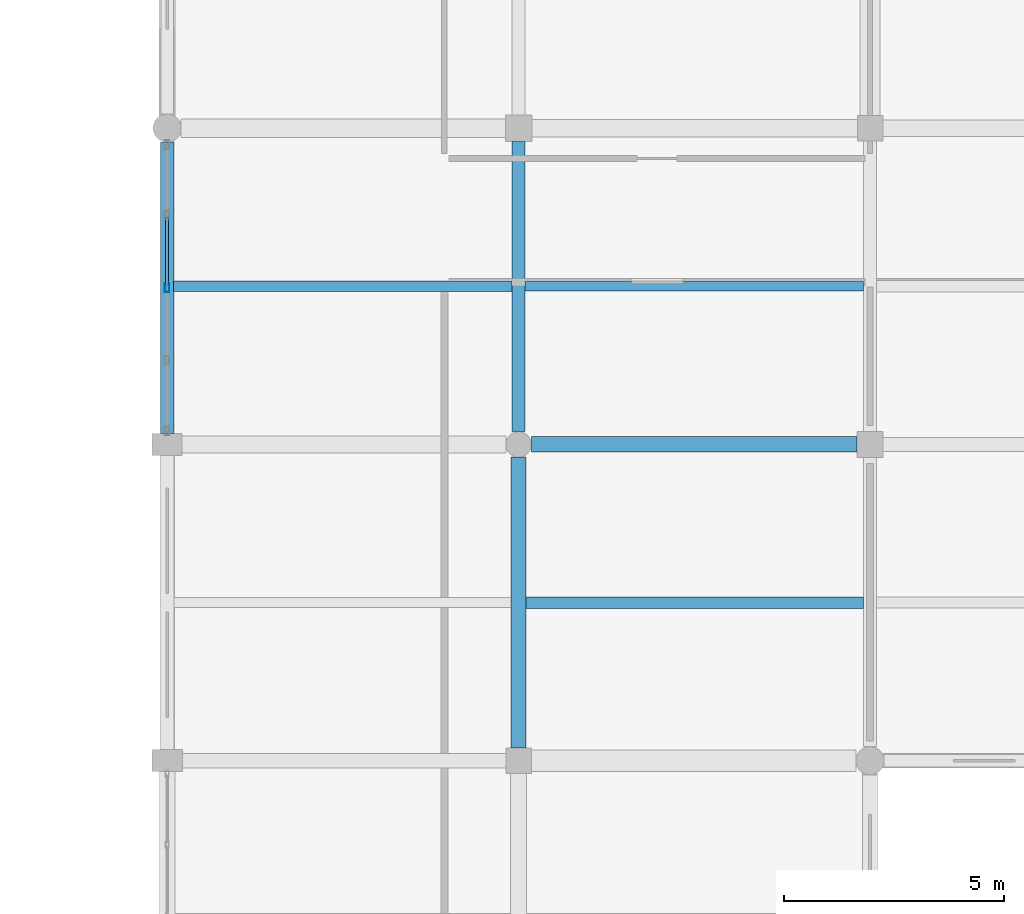
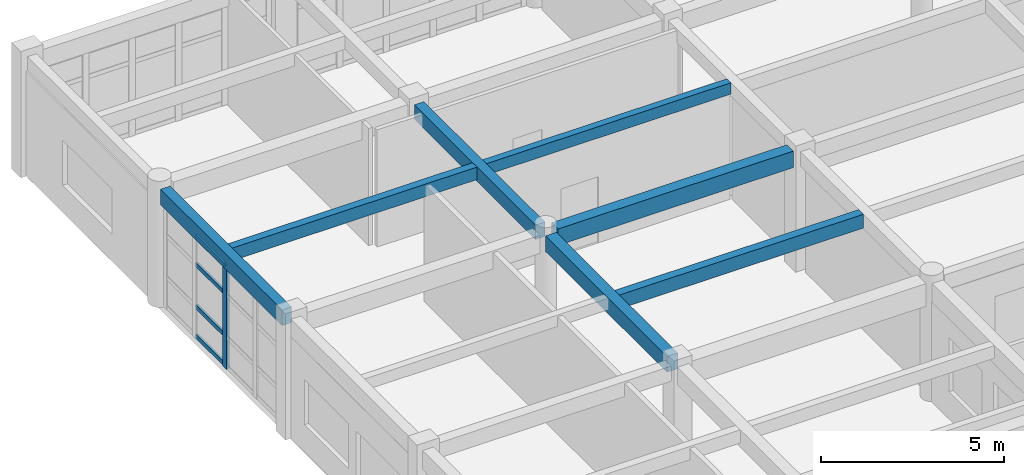
# One storey, part 56 of 121: 7 beams, 5 members, 1 element without a shape of its own.
"""IFC4 building model written with IfcOpenShell, lengths in metres."""

import ifcopenshell
import ifcopenshell.guid

model = None  # the IFC model being written
_history = None  # IfcOwnerHistory: only IFC2X3 demands one
_inside = {}  # id of a spatial element -> (the spatial element, [elements in it])
_under = {}  # id of a project, library or spatial element -> (it, [spatial elements below it])
_declared = {}  # id of a project -> (the project, [libraries it declares])
_typed = {}  # id of a type object -> (the type object, [elements of that type])
_made_of = {}  # id of a material, layer set ... -> (it, [elements and type objects made of it])


def new_model(schema):
    """Start an empty IFC model of exactly this schema.

    Asked for "IFC4X3", IfcOpenShell would pick the latest addendum, in which some entities
    have other attributes; the version numbers below select the first issue.
    IFC2X3 requires an IfcOwnerHistory on every rooted entity: one is made here for all.
    """
    global model, _history
    if schema == "IFC4X3":
        model = ifcopenshell.file(schema_version=(4, 3, 0, 0))
    else:
        model = ifcopenshell.file(schema=schema)
    _inside.clear()
    _under.clear()
    _declared.clear()
    _typed.clear()
    _made_of.clear()
    _history = None
    if model.schema == "IFC2X3":
        org = make("IfcOrganization", Name="unknown")
        user = make(
            "IfcPersonAndOrganization",
            ThePerson=make("IfcPerson", FamilyName="unknown"),
            TheOrganization=org,
        )
        app = make(
            "IfcApplication",
            ApplicationDeveloper=org,
            Version="unknown",
            ApplicationFullName="unknown",
            ApplicationIdentifier="unknown",
        )
        _history = make(
            "IfcOwnerHistory",
            OwningUser=user,
            OwningApplication=app,
            ChangeAction="ADDED",
            CreationDate=0,
        )
    return model


def make(cls, **values):
    """One entity of the class cls with the attributes given. An attribute that is None is left unset."""
    return model.create_entity(
        cls, **{name: value for name, value in values.items() if value is not None}
    )


def rooted(cls, **values):
    """An entity with a GlobalId (a new one), such as an element, a storey or a relation."""
    return make(cls, GlobalId=ifcopenshell.guid.new(), OwnerHistory=_history, **values)


def si_unit(unit_type, name, prefix=None):
    """IfcSIUnit, for example si_unit("LENGTHUNIT", "METRE", prefix="MILLI")."""
    return make("IfcSIUnit", UnitType=unit_type, Prefix=prefix, Name=name)


def assignment(units):
    """IfcUnitAssignment: the units of a project."""
    return None if units is None else make("IfcUnitAssignment", Units=units)


def point(xyz):
    """IfcCartesianPoint."""
    return None if xyz is None else make("IfcCartesianPoint", Coordinates=xyz)


def direction(xyz):
    """IfcDirection."""
    return None if xyz is None else make("IfcDirection", DirectionRatios=xyz)


def frame(location, z_axis=None, x_axis=None):
    """IfcAxis2Placement3D, a coordinate frame: its origin and axes. An axis left out is left unset."""
    return make(
        "IfcAxis2Placement3D",
        Location=point(location),
        Axis=direction(z_axis),
        RefDirection=direction(x_axis),
    )


def frame_2d(location, x_axis=None):
    """IfcAxis2Placement2D, a coordinate frame in the plane: its origin and x axis."""
    return make(
        "IfcAxis2Placement2D", Location=point(location), RefDirection=direction(x_axis)
    )


def origin():
    """The frame at (0, 0, 0) with its axes left unset."""
    return frame((0.0, 0.0, 0.0))


def origin_2d():
    """The frame at (0, 0) in the plane with its x axis left unset."""
    return frame_2d((0.0, 0.0))


def place(relative_to, where):
    """IfcLocalPlacement: puts the frame where relative to a parent placement (None: the world)."""
    return make(
        "IfcLocalPlacement", PlacementRelTo=relative_to, RelativePlacement=where
    )


def context(
    kind, dimensions, precision=None, world=None, true_north=None, identifier=None
):
    """IfcGeometricRepresentationContext, for example the 3D "Model" context."""
    return make(
        "IfcGeometricRepresentationContext",
        ContextIdentifier=identifier,
        ContextType=kind,
        CoordinateSpaceDimension=dimensions,
        Precision=precision,
        WorldCoordinateSystem=world,
        TrueNorth=true_north,
    )


def subcontext(parent, identifier, kind, view, scale=None):
    """IfcGeometricRepresentationSubContext, for example "Body" below "Model"."""
    return make(
        "IfcGeometricRepresentationSubContext",
        ContextIdentifier=identifier,
        ContextType=kind,
        ParentContext=parent,
        TargetScale=scale,
        TargetView=view,
    )


def project(units=None, contexts=None):
    """IfcProject with its units and contexts."""
    return rooted(
        "IfcProject",
        Name="project",
        RepresentationContexts=contexts,
        UnitsInContext=assignment(units),
    )


def spatial(cls, under=None, at=None, **own):
    """A site, building, storey or space (cls), placed at a placement, below another one or the project."""
    s = rooted(cls, ObjectPlacement=at, **own)
    if under is not None:
        _under.setdefault(under.id(), (under, []))[1].append(s)
    return s


def profile(cls, at=None, kind="AREA", **sizes):
    """A parametric profile (cls). Its sizes go by their IFC names, for example OverallWidth=200.0."""
    return make(cls, ProfileType=kind, Position=at, **sizes)


def rectangle(**sizes):
    """IfcRectangleProfileDef."""
    return profile("IfcRectangleProfileDef", **sizes)


def hollow_rectangle(**sizes):
    """IfcRectangleHollowProfileDef."""
    return profile("IfcRectangleHollowProfileDef", **sizes)


def extrude(swept, where, along, depth):
    """IfcExtrudedAreaSolid: the profile swept, set in the frame where, extruded along a direction by depth."""
    return make(
        "IfcExtrudedAreaSolid",
        SweptArea=swept,
        Position=where,
        ExtrudedDirection=direction(along),
        Depth=depth,
    )


def shape(context_of_items, identifier, shape_type, items):
    """IfcShapeRepresentation: the items that make up one representation, for example the "Body"."""
    return make(
        "IfcShapeRepresentation",
        ContextOfItems=context_of_items,
        RepresentationIdentifier=identifier,
        RepresentationType=shape_type,
        Items=items,
    )


def material(Name=None, Category=None):
    """IfcMaterial."""
    return make("IfcMaterial", Name=Name, Category=Category)


def material_profile(
    of_material, cross_section, Name=None, Category=None, Priority=None
):
    """IfcMaterialProfile: a cross section and its material."""
    return make(
        "IfcMaterialProfile",
        Name=Name,
        Material=of_material,
        Profile=cross_section,
        Priority=Priority,
        Category=Category,
    )


def profile_set(profiles, Name=None, composite=None):
    """IfcMaterialProfileSet."""
    return make(
        "IfcMaterialProfileSet",
        Name=Name,
        MaterialProfiles=profiles,
        CompositeProfile=composite,
    )


def made_of(thing, what):
    """Note that an element or type object is made of a material, layer set ...; save() writes the relation."""
    if what is not None:
        _made_of.setdefault(what.id(), (what, []))[1].append(thing)
    return thing


def type_object(cls, material=None, **own):
    """A type object (cls), such as IfcWallType, which elements share."""
    return made_of(rooted(cls, **own), material)


def element(
    cls,
    number,
    at=None,
    inside=None,
    cuts=None,
    type_object=None,
    material=None,
    context=None,
    identifier="Body",
    shape_type=None,
    held_by="IfcProductDefinitionShape",
    body=None,
    shapes=None,
    **own,
):
    """One element of the class cls, such as IfcWall. Its Tag is "e" and its number.

    at: its placement. inside: the storey or other place that contains it. cuts: it is an
    opening in that element (IfcRelVoidsElement). A single representation is given by context,
    identifier, shape_type and body (its items); several are given by shapes. held_by: the class
    of the entity that holds the representations. save() writes the other relations.
    """
    e = rooted(cls, Tag="e%d" % number, ObjectPlacement=at, **own)
    if body is not None:
        shapes = [shape(context, identifier, shape_type, body)]
    if shapes is not None:
        e.Representation = make(held_by, Representations=shapes)
    if inside is not None:
        _inside.setdefault(inside.id(), (inside, []))[1].append(e)
    if cuts is not None:
        rooted(
            "IfcRelVoidsElement", RelatingBuildingElement=cuts, RelatedOpeningElement=e
        )
    if type_object is not None:
        _typed.setdefault(type_object.id(), (type_object, []))[1].append(e)
    return made_of(e, material)


def aggregate(whole, parts):
    """IfcRelAggregates: a whole, such as a stair, and the parts it consists of."""
    return rooted("IfcRelAggregates", RelatingObject=whole, RelatedObjects=parts)


def save(model, path):
    """Write the relations noted so far, then the file.

    IfcRelAggregates (storeys below a building ...), IfcRelContainedInSpatialStructure (elements
    in a storey), IfcRelDefinesByType, IfcRelAssociatesMaterial and IfcRelDeclares: one each for
    every whole, place, type object, material and project.
    """
    for whole, parts in _under.values():
        aggregate(whole, parts)
    for where, things in _inside.values():
        rooted(
            "IfcRelContainedInSpatialStructure",
            RelatedElements=things,
            RelatingStructure=where,
        )
    for kind, things in _typed.values():
        rooted("IfcRelDefinesByType", RelatedObjects=things, RelatingType=kind)
    for what, things in _made_of.values():
        rooted("IfcRelAssociatesMaterial", RelatedObjects=things, RelatingMaterial=what)
    for by, libraries in _declared.values():
        rooted("IfcRelDeclares", RelatingContext=by, RelatedDefinitions=libraries)
    model.write(path)


model = new_model("IFC4")

# Units and contexts
model_context = context("Model", 3, precision=1e-05, world=origin(), true_north=direction((0.0, 1.0)))
body_context = subcontext(model_context, "Body", "Model", "MODEL_VIEW")
ifc_project = project(units=[si_unit("LENGTHUNIT", "METRE"), si_unit("AREAUNIT", "SQUARE_METRE"), si_unit("VOLUMEUNIT", "CUBIC_METRE"), si_unit("PLANEANGLEUNIT", "RADIAN"), si_unit("MASSUNIT", "GRAM", prefix="KILO")], contexts=[model_context])

# Site, building, storey
site_placement = place(None, origin())
site = spatial("IfcSite", under=ifc_project, at=site_placement, CompositionType="ELEMENT")
building_placement = place(site_placement, origin())
building = spatial("IfcBuilding", under=site, at=building_placement, Name="Kharva Crest Polytechnic", CompositionType="ELEMENT")
storey_placement = place(building_placement, frame((0.0, 0.0, 13.199951171875)))
storey = spatial("IfcBuildingStorey", under=building, at=storey_placement, Name="L03", CompositionType="ELEMENT", Elevation=13.199951171875)

# Beams
ifc_material_1 = material(Name="Concrete C35/45", Category="concrete")
ifc_material_profile_1 = material_profile(ifc_material_1, rectangle(XDim=0.300048828125, YDim=0.47998046875, at=origin_2d()), Name="RECT 300 X 480")
ifc_profile_set_1 = profile_set([ifc_material_profile_1], Name="Concrete C35/45")
beam_type_1 = type_object("IfcBeamType", Name="BM-RC-300X480", PredefinedType="BEAM", material=ifc_profile_set_1)
beam_1_placement = place(storey_placement, frame((40.0, 107.889892578125, 3.719970703125), z_axis=(0.0, 1.0, 0.0), x_axis=(-1.0, 0.0, 0.0)))
element("IfcBeam", 1, at=beam_1_placement, inside=storey, type_object=beam_type_1, Name="L03 Girder 6/Q-R", PredefinedType="BEAM", context=body_context, shape_type="SweptSolid", body=[
    extrude(rectangle(XDim=0.300048828125, YDim=0.47998046875, at=origin_2d()), origin(), (0.0, 0.0, 1.0), 6.610107421875),
])
ifc_material_profile_2 = material_profile(ifc_material_1, rectangle(XDim=0.340087890625, YDim=0.52001953125, at=origin_2d()), Name="RECT 340 X 520")
ifc_profile_set_2 = profile_set([ifc_material_profile_2], Name="Concrete C35/45")
beam_type_2 = type_object("IfcBeamType", Name="BM-RC-340X520", PredefinedType="BEAM", material=ifc_profile_set_2)
beam_2_placement = place(storey_placement, frame((40.0, 100.68994140625, 3.699951171875), z_axis=(0.0, 1.0, 0.0), x_axis=(-1.0, 0.0, 0.0)))
element("IfcBeam", 2, at=beam_2_placement, inside=storey, type_object=beam_type_2, Name="L03 Girder 6/P-Q", PredefinedType="BEAM", context=body_context, shape_type="SweptSolid", body=[
    extrude(rectangle(XDim=0.340087890625, YDim=0.52001953125, at=origin_2d()), origin(), (0.0, 0.0, 1.0), 6.6201171875),
])
ifc_material_profile_3 = material_profile(ifc_material_1, rectangle(XDim=0.35009765625, YDim=0.550048828125, at=origin_2d()), Name="RECT 350 X 550")
ifc_profile_set_3 = profile_set([ifc_material_profile_3], Name="Concrete C35/45")
beam_type_3 = type_object("IfcBeamType", Name="BM-RC-350X550", PredefinedType="BEAM", material=ifc_profile_set_3)
beam_3_placement = place(storey_placement, frame((40.2900390625, 107.60009765625, 3.68505859375), z_axis=(1.0, 0.0, 0.0), x_axis=(0.0, 1.0, 0.0)))
element("IfcBeam", 3, at=beam_3_placement, inside=storey, type_object=beam_type_3, Name="L03 Beam Q/6-7", PredefinedType="BEAM", context=body_context, shape_type="SweptSolid", body=[
    extrude(rectangle(XDim=0.35009765625, YDim=0.550048828125, at=origin_2d()), origin(), (0.0, 0.0, 1.0), 7.409912109375),
])

# Curtain wall, members
ifc_material_2 = material(Name="Tempered insulated glass", Category="glass")
curtain_wall_type = type_object("IfcCurtainWallType", Name="CW-SYS-LIBRARY", PredefinedType="USERDEFINED", material=ifc_material_2)
curtain_wall_placement = place(storey_placement, origin())
curtain_wall = element("IfcCurtainWall", 4, at=curtain_wall_placement, inside=storey, type_object=curtain_wall_type, Name="L03 Glazed Curtain Wall CW-164", ObjectType="CURTAIN WALL", PredefinedType="USERDEFINED")
ifc_material_3 = material(Name="Steel S355", Category="steel")
ifc_material_profile_4 = material_profile(ifc_material_3, hollow_rectangle(XDim=0.10009765625, YDim=0.199951171875, WallThickness=0.00634765625, at=origin_2d()), Name="RHS 200X100X6.3")
ifc_profile_set_4 = profile_set([ifc_material_profile_4], Name="Steel S355")
member_type_1 = type_object("IfcMemberType", Name="CWM-RHS200X100", PredefinedType="MULLION", material=ifc_profile_set_4)
member_1_placement = place(storey_placement, frame((32.0, 111.1650390625, 0.0), z_axis=(0.0, 0.0, 1.0), x_axis=(1.0, 0.0, 0.0)))
member_1 = element("IfcMember", 5, at=member_1_placement, type_object=member_type_1, Name="CW-164 mullion 3", PredefinedType="MULLION", context=body_context, shape_type="SweptSolid", body=[
    extrude(hollow_rectangle(XDim=0.10009765625, YDim=0.199951171875, WallThickness=0.00634765625, at=origin_2d()), origin(), (0.0, 0.0, 1.0), 3.43994140625),
])
ifc_material_profile_5 = material_profile(ifc_material_3, hollow_rectangle(XDim=0.070068359375, YDim=0.139892578125, WallThickness=0.00390625, at=origin_2d()), Name="RHS 140X70X4.0")
ifc_profile_set_5 = profile_set([ifc_material_profile_5], Name="Steel S355")
member_type_2 = type_object("IfcMemberType", Name="CWT-RHS140X70", PredefinedType="USERDEFINED", material=ifc_profile_set_5)
member_2_placement = place(storey_placement, frame((32.0, 112.77001953125, 0.070068359375), z_axis=(0.0, -1.0, 0.0), x_axis=(1.0, 0.0, 0.0)))
member_2 = element("IfcMember", 6, at=member_2_placement, type_object=member_type_2, Name="CW-164 transom 2.1", ObjectType="TRANSOM", PredefinedType="USERDEFINED", context=body_context, shape_type="SweptSolid", body=[
    extrude(hollow_rectangle(XDim=0.070068359375, YDim=0.139892578125, WallThickness=0.00390625, at=origin_2d()), origin(), (0.0, 0.0, 1.0), 1.554931640625),
])
member_3_placement = place(storey_placement, frame((32.0, 112.77001953125, 1.050048828125), z_axis=(0.0, -1.0, 0.0), x_axis=(1.0, 0.0, 0.0)))
member_3 = element("IfcMember", 7, at=member_3_placement, type_object=member_type_2, Name="CW-164 transom 2.2", ObjectType="TRANSOM", PredefinedType="USERDEFINED", context=body_context, shape_type="SweptSolid", body=[
    extrude(hollow_rectangle(XDim=0.070068359375, YDim=0.139892578125, WallThickness=0.00390625, at=origin_2d()), origin(), (0.0, 0.0, 1.0), 1.554931640625),
])
member_4_placement = place(storey_placement, frame((32.0, 112.77001953125, 2.449951171875), z_axis=(0.0, -1.0, 0.0), x_axis=(1.0, 0.0, 0.0)))
member_4 = element("IfcMember", 8, at=member_4_placement, type_object=member_type_2, Name="CW-164 transom 2.3", ObjectType="TRANSOM", PredefinedType="USERDEFINED", context=body_context, shape_type="SweptSolid", body=[
    extrude(hollow_rectangle(XDim=0.070068359375, YDim=0.139892578125, WallThickness=0.00390625, at=origin_2d()), origin(), (0.0, 0.0, 1.0), 1.554931640625),
])
member_5_placement = place(storey_placement, frame((32.0, 112.77001953125, 3.3701171875), z_axis=(0.0, -1.0, 0.0), x_axis=(1.0, 0.0, 0.0)))
member_5 = element("IfcMember", 9, at=member_5_placement, type_object=member_type_2, Name="CW-164 transom 2.4", ObjectType="TRANSOM", PredefinedType="USERDEFINED", context=body_context, shape_type="SweptSolid", body=[
    extrude(hollow_rectangle(XDim=0.070068359375, YDim=0.139892578125, WallThickness=0.00390625, at=origin_2d()), origin(), (0.0, 0.0, 1.0), 1.554931640625),
])
aggregate(curtain_wall, [member_1, member_2, member_3, member_4, member_5])

# Beams
ifc_material_profile_6 = material_profile(ifc_material_1, rectangle(XDim=0.219970703125, YDim=0.3798828125, at=origin_2d()), Name="RECT 220 X 380")
ifc_profile_set_6 = profile_set([ifc_material_profile_6], Name="Concrete C35/45")
beam_type_4 = type_object("IfcBeamType", Name="JS-RC-220X380", PredefinedType="JOIST", material=ifc_profile_set_6)
beam_4_placement = place(storey_placement, frame((40.14990234375, 111.199951171875, 3.77001953125), z_axis=(1.0, 0.0, 0.0), x_axis=(0.0, 1.0, 0.0)))
element("IfcBeam", 10, at=beam_4_placement, inside=storey, type_object=beam_type_4, Name="L03 Floor Joist 35", PredefinedType="JOIST", context=body_context, shape_type="SweptSolid", body=[
    extrude(rectangle(XDim=0.219970703125, YDim=0.3798828125, at=origin_2d()), origin(), (0.0, 0.0, 1.0), 7.7001953125),
])
ifc_material_profile_7 = material_profile(ifc_material_1, rectangle(XDim=0.239990234375, YDim=0.419921875, at=origin_2d()), Name="RECT 240 X 420")
ifc_profile_set_7 = profile_set([ifc_material_profile_7], Name="Concrete C35/45")
beam_type_5 = type_object("IfcBeamType", Name="JS-RC-240X420", PredefinedType="JOIST", material=ifc_profile_set_7)
beam_5_placement = place(storey_placement, frame((32.14990234375, 111.199951171875, 3.75), z_axis=(1.0, 0.0, 0.0), x_axis=(0.0, 1.0, 0.0)))
element("IfcBeam", 11, at=beam_5_placement, inside=storey, type_object=beam_type_5, Name="L03 Floor Joist 34", PredefinedType="JOIST", context=body_context, shape_type="SweptSolid", body=[
    extrude(rectangle(XDim=0.239990234375, YDim=0.419921875, at=origin_2d()), origin(), (0.0, 0.0, 1.0), 7.7001953125),
])
ifc_material_profile_8 = material_profile(ifc_material_1, rectangle(XDim=0.260009765625, YDim=0.4599609375, at=origin_2d()), Name="RECT 260 X 460")
ifc_profile_set_8 = profile_set([ifc_material_profile_8], Name="Concrete C35/45")
beam_type_6 = type_object("IfcBeamType", Name="JS-RC-260X460", PredefinedType="JOIST", material=ifc_profile_set_8)
beam_6_placement = place(storey_placement, frame((40.169921875, 104.0, 3.72998046875), z_axis=(1.0, 0.0, 0.0), x_axis=(0.0, 1.0, 0.0)))
element("IfcBeam", 12, at=beam_6_placement, inside=storey, type_object=beam_type_6, Name="L03 Floor Joist 16", PredefinedType="JOIST", context=body_context, shape_type="SweptSolid", body=[
    extrude(rectangle(XDim=0.260009765625, YDim=0.4599609375, at=origin_2d()), origin(), (0.0, 0.0, 1.0), 7.68017578125),
])
ifc_material_profile_9 = material_profile(ifc_material_1, rectangle(XDim=0.300048828125, YDim=0.52001953125, at=origin_2d()), Name="RECT 300 X 520")
ifc_profile_set_9 = profile_set([ifc_material_profile_9], Name="Concrete C35/45")
beam_type_7 = type_object("IfcBeamType", Name="SP-RC-300X520", PredefinedType="SPANDREL", material=ifc_profile_set_9)
beam_7_placement = place(storey_placement, frame((32.0, 107.85009765625, 3.699951171875), z_axis=(0.0, 1.0, 0.0), x_axis=(-1.0, 0.0, 0.0)))
element("IfcBeam", 13, at=beam_7_placement, inside=storey, type_object=beam_type_7, Name="L03 Girder 5/Q-R", PredefinedType="SPANDREL", context=body_context, shape_type="SweptSolid", body=[
    extrude(rectangle(XDim=0.300048828125, YDim=0.52001953125, at=origin_2d()), origin(), (0.0, 0.0, 1.0), 6.6298828125),
])

save(model, "model.ifc")
